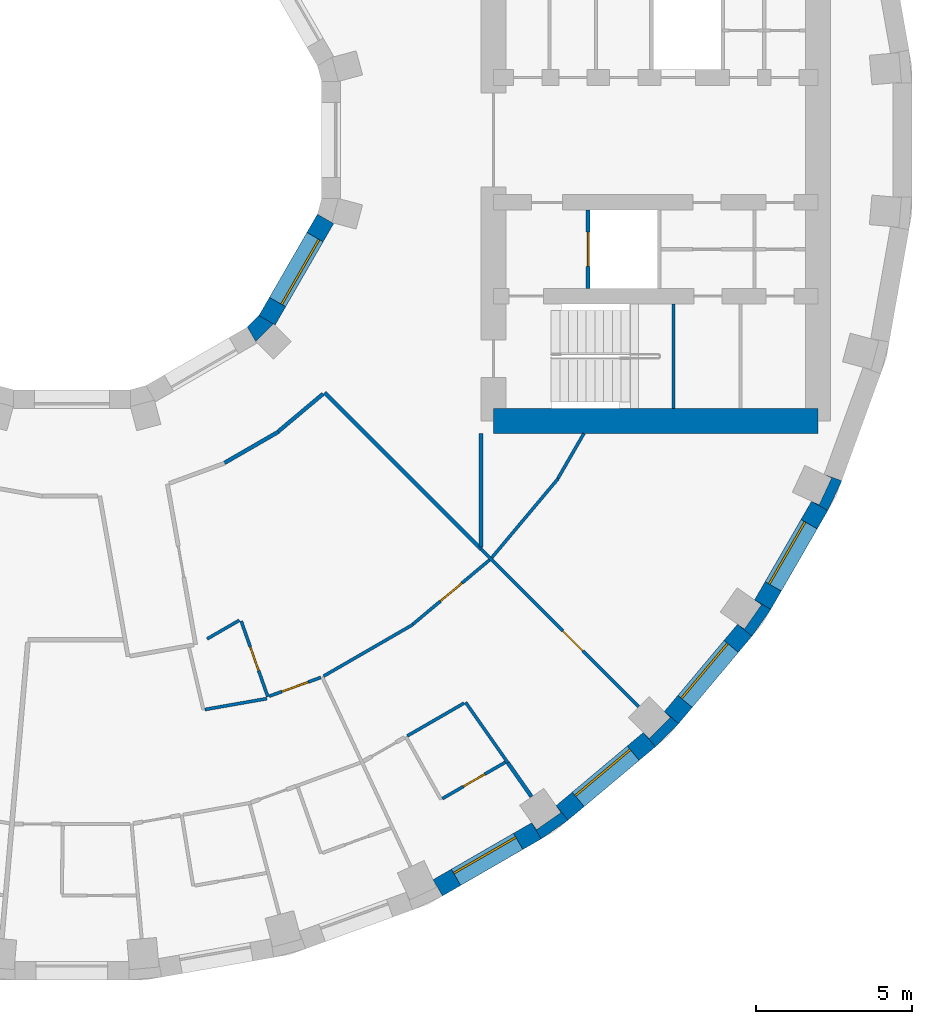
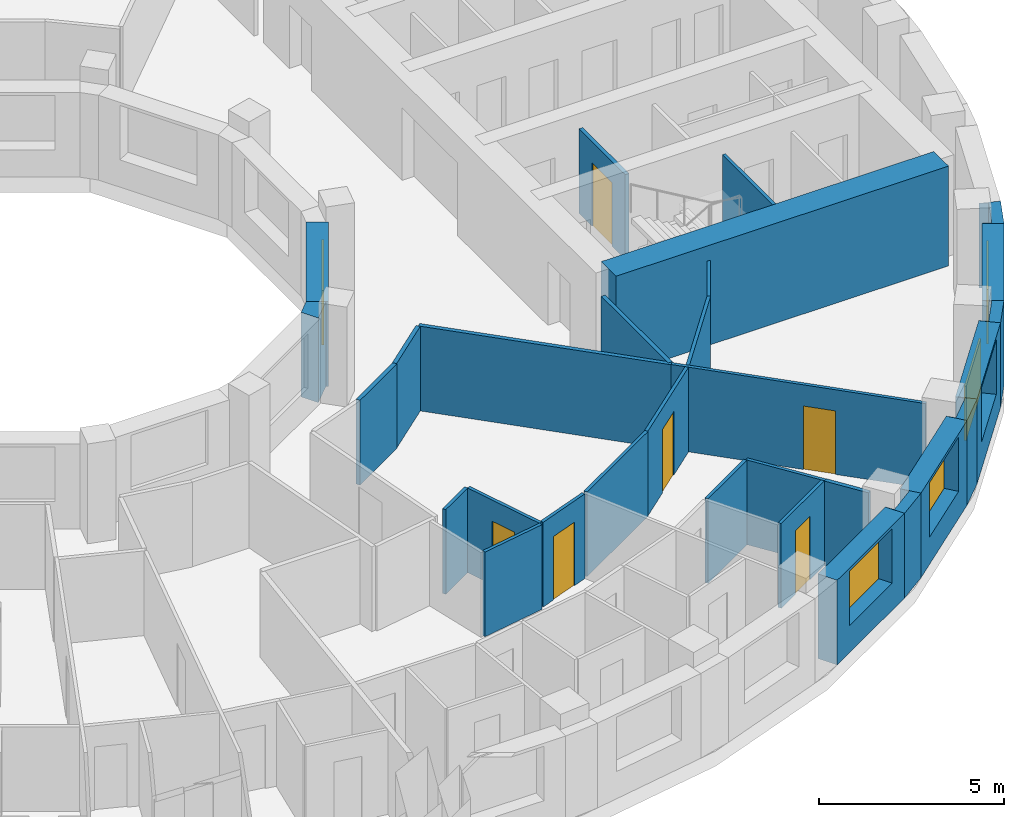
# One storey, part 8 of 15: 30 walls, 6 doors, 5 windows, 11 openings.
"""IFC4 building model written with IfcOpenShell, lengths in metres."""

from ifc_helpers import new_model, si_unit, direction, frame, frame_2d, origin, place, context, subcontext, project, spatial, polyline, rectangle, outline, extrude, material, layer, layer_set, type_object, element, fill, save


model = new_model("IFC4")

# Units and contexts
model_context = context("Model", 3, precision=1e-05, world=origin(), true_north=direction((0.0, 1.0)))
body_context = subcontext(model_context, "Body", "Model", "MODEL_VIEW")
ifc_project = project(units=[si_unit("LENGTHUNIT", "METRE"), si_unit("AREAUNIT", "SQUARE_METRE"), si_unit("VOLUMEUNIT", "CUBIC_METRE"), si_unit("PLANEANGLEUNIT", "RADIAN"), si_unit("MASSUNIT", "GRAM", prefix="KILO")], contexts=[model_context])

# Site, building, storey
site_placement = place(None, origin())
site = spatial("IfcSite", under=ifc_project, at=site_placement, CompositionType="ELEMENT")
building_placement = place(site_placement, origin())
building = spatial("IfcBuilding", under=site, at=building_placement, Name="Saqina Gate Tower", CompositionType="ELEMENT")
storey_placement = place(building_placement, frame((0.0, 0.0, 108.39990234375)))
storey = spatial("IfcBuildingStorey", under=building, at=storey_placement, Name="L30", CompositionType="ELEMENT", Elevation=108.39990234375)

# Walls
ifc_material_1 = material(Name="Brick masonry (buff)", Category="masonry")
wall_type_1 = type_object("IfcWallType", Name="BRICK PIER COPING BUFF", PredefinedType="SOLIDWALL", material=ifc_material_1)
wall_1_placement = place(storey_placement, origin())
element("IfcWall", 1, at=wall_1_placement, inside=storey, type_object=wall_type_1, Name="Pier cap L30 column 31", PredefinedType="SOLIDWALL", context=body_context, shape_type="SweptSolid", body=[
    extrude(outline(polyline([(15.89208984375, -21.77685546875), (15.50634765625, -21.317138671875), (15.66064453125, -21.53759765625), (14.88232421875, -22.08251953125), (14.728271484375, -21.862060546875), (15.0283203125, -22.3818359375), (15.89208984375, -21.77685546875)])), origin(), (0.0, 0.0, 1.0), 2.800048828125),
])
wall_2_placement = place(storey_placement, origin())
element("IfcWall", 2, at=wall_2_placement, inside=storey, type_object=wall_type_1, Name="Pier cap L30 column 32", PredefinedType="SOLIDWALL", context=body_context, shape_type="SweptSolid", body=[
    extrude(outline(polyline([(18.686279296875, -19.43212890625), (19.43212890625, -18.686279296875), (18.972412109375, -18.30078125), (19.16259765625, -18.49072265625), (18.49072265625, -19.16259765625), (18.30078125, -18.972412109375), (18.686279296875, -19.43212890625)])), origin(), (0.0, 0.0, 1.0), 2.800048828125),
])
wall_3_placement = place(storey_placement, origin())
element("IfcWall", 3, at=wall_3_placement, inside=storey, type_object=wall_type_1, Name="Pier cap L30 column 33", PredefinedType="SOLIDWALL", context=body_context, shape_type="SweptSolid", body=[
    extrude(outline(polyline([(22.3818359375, -15.0283203125), (21.862060546875, -14.728271484375), (22.08251953125, -14.88232421875), (21.53759765625, -15.66064453125), (21.317138671875, -15.50634765625), (21.77685546875, -15.89208984375), (22.3818359375, -15.0283203125)])), origin(), (0.0, 0.0, 1.0), 2.800048828125),
])
wall_4_placement = place(storey_placement, origin())
element("IfcWall", 4, at=wall_4_placement, inside=storey, type_object=wall_type_1, Name="Pier cap L30 column 34", PredefinedType="SOLIDWALL", context=body_context, shape_type="SweptSolid", body=[
    extrude(outline(polyline([(24.6513671875, -10.913330078125), (24.08740234375, -10.7080078125), (24.331298828125, -10.82177734375), (23.9296875, -11.6826171875), (23.68603515625, -11.569091796875), (24.205810546875, -11.869140625), (24.6513671875, -10.913330078125)])), origin(), (0.0, 0.0, 1.0), 2.800048828125),
])

# Wall, opening, window
ifc_material_2 = material(Name="Brick masonry (buff)", Category="masonry")
ifc_layer_1 = layer(ifc_material_2, 0.60009765625)
ifc_layer_set_1 = layer_set([ifc_layer_1], Name="FW-BRICK-BUFF")
wall_type_2 = type_object("IfcWallType", Name="FW-BRICK-BUFF", PredefinedType="SOLIDWALL", material=ifc_layer_set_1)
wall_5_placement = place(storey_placement, frame((11.718994140625, -23.94580078125, 0.0), z_axis=(0.0, 0.0, 1.0), x_axis=(0.866051847062, 0.499954196102, 0.0)))
wall_5 = element("IfcWall", 5, at=wall_5_placement, inside=storey, type_object=wall_type_2, Name="Facade wall L30 facet 30", PredefinedType="SOLIDWALL", context=body_context, shape_type="SweptSolid", body=[
    extrude(rectangle(XDim=3.647705078125, YDim=0.60009765625, at=frame_2d((1.82373046875, 0.0))), origin(), (0.0, 0.0, 1.0), 2.800048828125),
])
opening_1_placement = place(wall_5_placement, frame((0.673828125, 0.0, 0.89990234375)))
opening_1 = element("IfcOpeningElement", 6, at=opening_1_placement, cuts=wall_5, Name="Opening G08-W19", PredefinedType="OPENING", context=body_context, shape_type="SweptSolid", body=[
    extrude(rectangle(XDim=2.300048828125, YDim=1.800048828125, at=frame_2d((1.14990234375, 0.89990234375))), frame((0.0, 0.31201171875, 0.0), z_axis=(0.0, -1.0, 0.0), x_axis=(1.0, 0.0, 0.0)), (0.0, 0.0, 1.0), 0.6240234375),
])
ifc_material_3 = material(Name="Aluminium glazing", Category="aluminium")
window_type_1 = type_object("IfcWindowType", Name="WN-B", PartitioningType="SINGLE_PANEL", PredefinedType="WINDOW", material=ifc_material_3)
window_1_placement = place(opening_1_placement, origin())
window_1 = element("IfcWindow", 7, at=window_1_placement, inside=storey, type_object=window_type_1, Name="Window L30 facet 30", OverallHeight=1.800048828125, OverallWidth=2.300048828125, PartitioningType="SINGLE_PANEL", PredefinedType="WINDOW", context=body_context, shape_type="SweptSolid", body=[
    extrude(rectangle(XDim=2.300048828125, YDim=1.800048828125, at=frame_2d((1.14990234375, 0.89990234375))), frame((0.0, 0.179931640625, 0.0), z_axis=(0.0, -1.0, 0.0), x_axis=(1.0, 0.0, 0.0)), (0.0, 0.0, 1.0), 0.06005859375),
])
fill(opening_1, window_1)

wall_6_placement = place(storey_placement, frame((15.69921875, -21.547119140625, 0.0), z_axis=(0.0, 0.0, 1.0), x_axis=(0.766055462616, 0.642774476932, 0.0)))
wall_6 = element("IfcWall", 8, at=wall_6_placement, inside=storey, type_object=wall_type_2, Name="Facade wall L30 facet 31", PredefinedType="SOLIDWALL", context=body_context, shape_type="SweptSolid", body=[
    extrude(rectangle(XDim=3.647705078125, YDim=0.60009765625, at=frame_2d((1.82373046875, 0.0))), origin(), (0.0, 0.0, 1.0), 2.800048828125),
])
opening_2_placement = place(wall_6_placement, frame((0.673828125, 0.0, 0.89990234375)))
opening_2 = element("IfcOpeningElement", 9, at=opening_2_placement, cuts=wall_6, Name="Opening G08-W20", PredefinedType="OPENING", context=body_context, shape_type="SweptSolid", body=[
    extrude(rectangle(XDim=2.300048828125, YDim=1.800048828125, at=frame_2d((1.14990234375, 0.89990234375))), frame((0.0, 0.31201171875, 0.0), z_axis=(0.0, -1.0, 0.0), x_axis=(1.0, 0.0, 0.0)), (0.0, 0.0, 1.0), 0.6240234375),
])
window_2_placement = place(opening_2_placement, origin())
window_2 = element("IfcWindow", 10, at=window_2_placement, inside=storey, type_object=window_type_1, Name="Window L30 facet 31", OverallHeight=1.800048828125, OverallWidth=2.300048828125, PartitioningType="SINGLE_PANEL", PredefinedType="WINDOW", context=body_context, shape_type="SweptSolid", body=[
    extrude(rectangle(XDim=2.300048828125, YDim=1.800048828125, at=frame_2d((1.14990234375, 0.89990234375))), frame((0.0, 0.179931640625, 0.0), z_axis=(0.0, -1.0, 0.0), x_axis=(1.0, 0.0, 0.0)), (0.0, 0.0, 1.0), 0.06005859375),
])
fill(opening_2, window_2)

wall_7_placement = place(storey_placement, frame((19.202392578125, -18.49365234375, 0.0), z_axis=(0.0, 0.0, 1.0), x_axis=(0.642774476932, 0.766055462616, 0.0)))
wall_7 = element("IfcWall", 11, at=wall_7_placement, inside=storey, type_object=wall_type_2, Name="Facade wall L30 facet 32", PredefinedType="SOLIDWALL", context=body_context, shape_type="SweptSolid", body=[
    extrude(rectangle(XDim=3.647705078125, YDim=0.60009765625, at=frame_2d((1.82373046875, 0.0))), origin(), (0.0, 0.0, 1.0), 2.800048828125),
])
opening_3_placement = place(wall_7_placement, frame((0.673828125, 0.0, 0.89990234375)))
opening_3 = element("IfcOpeningElement", 12, at=opening_3_placement, cuts=wall_7, Name="Opening G08-W21", PredefinedType="OPENING", context=body_context, shape_type="SweptSolid", body=[
    extrude(rectangle(XDim=2.300048828125, YDim=1.800048828125, at=frame_2d((1.14990234375, 0.89990234375))), frame((0.0, 0.31201171875, 0.0), z_axis=(0.0, -1.0, 0.0), x_axis=(1.0, 0.0, 0.0)), (0.0, 0.0, 1.0), 0.6240234375),
])
window_3_placement = place(opening_3_placement, origin())
window_3 = element("IfcWindow", 13, at=window_3_placement, inside=storey, type_object=window_type_1, Name="Window L30 facet 32", OverallHeight=1.800048828125, OverallWidth=2.300048828125, PartitioningType="SINGLE_PANEL", PredefinedType="WINDOW", context=body_context, shape_type="SweptSolid", body=[
    extrude(rectangle(XDim=2.300048828125, YDim=1.800048828125, at=frame_2d((1.14990234375, 0.89990234375))), frame((0.0, 0.179931640625, 0.0), z_axis=(0.0, -1.0, 0.0), x_axis=(1.0, 0.0, 0.0)), (0.0, 0.0, 1.0), 0.06005859375),
])
fill(opening_3, window_3)

wall_8_placement = place(storey_placement, frame((22.1220703125, -14.878173828125, 0.0), z_axis=(0.0, 0.0, 1.0), x_axis=(0.499954196102, 0.866051847062, 0.0)))
wall_8 = element("IfcWall", 14, at=wall_8_placement, inside=storey, type_object=wall_type_2, Name="Facade wall L30 facet 33", PredefinedType="SOLIDWALL", context=body_context, shape_type="SweptSolid", body=[
    extrude(rectangle(XDim=3.647705078125, YDim=0.60009765625, at=frame_2d((1.82373046875, 0.0))), origin(), (0.0, 0.0, 1.0), 2.800048828125),
])
opening_4_placement = place(wall_8_placement, frame((0.673828125, 0.0, 0.89990234375)))
opening_4 = element("IfcOpeningElement", 15, at=opening_4_placement, cuts=wall_8, Name="Opening G08-W22", PredefinedType="OPENING", context=body_context, shape_type="SweptSolid", body=[
    extrude(rectangle(XDim=2.300048828125, YDim=1.800048828125, at=frame_2d((1.14990234375, 0.89990234375))), frame((0.0, 0.31201171875, 0.0), z_axis=(0.0, -1.0, 0.0), x_axis=(1.0, 0.0, 0.0)), (0.0, 0.0, 1.0), 0.6240234375),
])
window_4_placement = place(opening_4_placement, origin())
window_4 = element("IfcWindow", 16, at=window_4_placement, inside=storey, type_object=window_type_1, Name="Window L30 facet 33", OverallHeight=1.800048828125, OverallWidth=2.300048828125, PartitioningType="SINGLE_PANEL", PredefinedType="WINDOW", context=body_context, shape_type="SweptSolid", body=[
    extrude(rectangle(XDim=2.300048828125, YDim=1.800048828125, at=frame_2d((1.14990234375, 0.89990234375))), frame((0.0, 0.179931640625, 0.0), z_axis=(0.0, -1.0, 0.0), x_axis=(1.0, 0.0, 0.0)), (0.0, 0.0, 1.0), 0.06005859375),
])
fill(opening_4, window_4)

ifc_material_4 = material(Name="Glazed ceramic tile", Category="ceramic")
ifc_layer_2 = layer(ifc_material_4, 0.60009765625)
ifc_layer_set_2 = layer_set([ifc_layer_2], Name="IW-TILE")
wall_type_3 = type_object("IfcWallType", Name="IW-TILE", PredefinedType="SOLIDWALL", material=ifc_layer_set_2)
wall_9_placement = place(storey_placement, frame((6.251220703125, -5.772705078125, 0.0), z_axis=(0.0, 0.0, 1.0), x_axis=(0.499964958637, 0.86604563398, 0.0)))
wall_9 = element("IfcWall", 17, at=wall_9_placement, inside=storey, type_object=wall_type_3, Name="Well wall L30 facet 11", PredefinedType="SOLIDWALL", context=body_context, shape_type="SweptSolid", body=[
    extrude(rectangle(XDim=3.747314453125, YDim=0.60009765625, at=frame_2d((1.87353515625, 0.0))), origin(), (0.0, 0.0, 1.0), 2.800048828125),
])
opening_5_placement = place(wall_9_placement, frame((0.673583984375, 0.0, 0.89990234375)))
opening_5 = element("IfcOpeningElement", 18, at=opening_5_placement, cuts=wall_9, Name="Opening G08-W33", PredefinedType="OPENING", context=body_context, shape_type="SweptSolid", body=[
    extrude(rectangle(XDim=2.39990234375, YDim=1.800048828125, at=frame_2d((1.199951171875, 0.89990234375))), frame((0.0, 0.31201171875, 0.0), z_axis=(0.0, -1.0, 0.0), x_axis=(1.0, 0.0, 0.0)), (0.0, 0.0, 1.0), 0.6240234375),
])
ifc_material_5 = material(Name="Aluminium glazing", Category="aluminium")
window_type_2 = type_object("IfcWindowType", Name="WN-W", PartitioningType="SINGLE_PANEL", PredefinedType="WINDOW", material=ifc_material_5)
window_5_placement = place(opening_5_placement, origin())
window_5 = element("IfcWindow", 19, at=window_5_placement, inside=storey, type_object=window_type_2, Name="Well window L30 facet 11", OverallHeight=1.800048828125, OverallWidth=2.39990234375, PartitioningType="SINGLE_PANEL", PredefinedType="WINDOW", context=body_context, shape_type="SweptSolid", body=[
    extrude(rectangle(XDim=2.39990234375, YDim=1.800048828125, at=frame_2d((1.199951171875, 0.89990234375))), frame((0.0, -0.119873046875, 0.0), z_axis=(0.0, -1.0, 0.0), x_axis=(1.0, 0.0, 0.0)), (0.0, 0.0, 1.0), 0.06005859375),
])
fill(opening_5, window_5)

# Wall, opening, door
ifc_material_6 = material(Name="Gypsum board on steel studs, 100 mm", Category="steel")
ifc_layer_3 = layer(ifc_material_6, 0.10009765625)
ifc_layer_set_3 = layer_set([ifc_layer_3], Name="PARTITION 100")
wall_type_4 = type_object("IfcWallType", Name="PARTITION 100", PredefinedType="PARTITIONING", material=ifc_layer_set_3)
wall_10_placement = place(storey_placement, frame((5.424072265625, -15.4052734375, 0.0), z_axis=(0.0, 0.0, 1.0), x_axis=(0.332059637914, -0.943258393479, 0.0)))
wall_10 = element("IfcWall", 20, at=wall_10_placement, inside=storey, type_object=wall_type_4, Name="PARTITION PW3-10", PredefinedType="PARTITIONING", context=body_context, shape_type="SweptSolid", body=[
    extrude(rectangle(XDim=2.569580078125, YDim=0.10009765625, at=frame_2d((1.28466796875, 0.0))), origin(), (0.0, 0.0, 1.0), 2.800048828125),
])
opening_6_placement = place(wall_10_placement, frame((0.884521484375, 0.0, 0.0)))
opening_6 = element("IfcOpeningElement", 21, at=opening_6_placement, cuts=wall_10, Name="Opening G08-D43", PredefinedType="OPENING", context=body_context, shape_type="SweptSolid", body=[
    extrude(rectangle(XDim=0.800048828125, YDim=2.10009765625, at=frame_2d((0.39990234375, 1.050048828125))), frame((0.0, 0.06201171875, 0.0), z_axis=(0.0, -1.0, 0.0), x_axis=(1.0, 0.0, 0.0)), (0.0, 0.0, 1.0), 0.1240234375),
])
ifc_material_7 = material(Name="Timber door leaf, 800 mm", Category="wood")
door_type_1 = type_object("IfcDoorType", Name="DOOR 800 TIMBER", OperationType="SINGLE_SWING_LEFT", PredefinedType="DOOR", material=ifc_material_7)
door_1_placement = place(opening_6_placement, origin())
door_1 = element("IfcDoor", 22, at=door_1_placement, inside=storey, type_object=door_type_1, Name="DOOR G08-D43", OperationType="SINGLE_SWING_LEFT", OverallHeight=2.10009765625, OverallWidth=0.800048828125, PredefinedType="DOOR", context=body_context, shape_type="SweptSolid", body=[
    extrude(rectangle(XDim=0.800048828125, YDim=2.10009765625, at=frame_2d((0.39990234375, 1.050048828125))), frame((0.0, 0.02490234375, 0.0), z_axis=(0.0, -1.0, 0.0), x_axis=(1.0, 0.0, 0.0)), (0.0, 0.0, 1.0), 0.050048828125),
])
fill(opening_6, door_1)

# Wall
wall_11_placement = place(storey_placement, frame((12.60791015625, -18.006103515625, 0.0), z_axis=(0.0, 0.0, 1.0), x_axis=(0.573573515593, -0.819154089418, 0.0)))
element("IfcWall", 23, at=wall_11_placement, inside=storey, type_object=wall_type_4, Name="PARTITION PW3-17", PredefinedType="PARTITIONING", context=body_context, shape_type="SweptSolid", body=[
    extrude(rectangle(XDim=2.358154296875, YDim=0.10009765625, at=frame_2d((1.17919921875, 0.0))), origin(), (0.0, 0.0, 1.0), 2.800048828125),
])

# Wall, opening, door
wall_12_placement = place(storey_placement, frame((13.099853515625, -13.10009765625, 0.0), z_axis=(0.0, 0.0, 1.0), x_axis=(0.707192272448, -0.707021279588, 0.0)))
wall_12 = element("IfcWall", 24, at=wall_12_placement, inside=storey, type_object=wall_type_4, Name="PARTITION PW3-21", PredefinedType="PARTITIONING", context=body_context, shape_type="SweptSolid", body=[
    extrude(rectangle(XDim=7.138916015625, YDim=0.10009765625, at=frame_2d((3.5693359375, 0.0))), origin(), (0.0, 0.0, 1.0), 2.800048828125),
])
opening_7_placement = place(wall_12_placement, frame((3.709716796875, 0.0, 0.0)))
opening_7 = element("IfcOpeningElement", 25, at=opening_7_placement, cuts=wall_12, Name="Opening G08-D49", PredefinedType="OPENING", context=body_context, shape_type="SweptSolid", body=[
    extrude(rectangle(XDim=0.89990234375, YDim=2.10009765625, at=frame_2d((0.449951171875, 1.050048828125))), frame((0.0, 0.06201171875, 0.0), z_axis=(0.0, -1.0, 0.0), x_axis=(1.0, 0.0, 0.0)), (0.0, 0.0, 1.0), 0.1240234375),
])
ifc_material_8 = material(Name="Timber door leaf, 900 mm", Category="wood")
door_type_2 = type_object("IfcDoorType", Name="DOOR 900 TIMBER", OperationType="SINGLE_SWING_LEFT", PredefinedType="DOOR", material=ifc_material_8)
door_2_placement = place(opening_7_placement, origin())
door_2 = element("IfcDoor", 26, at=door_2_placement, inside=storey, type_object=door_type_2, Name="DOOR G08-D49", OperationType="SINGLE_SWING_RIGHT", OverallHeight=2.10009765625, OverallWidth=0.89990234375, PredefinedType="DOOR", context=body_context, shape_type="SweptSolid", body=[
    extrude(rectangle(XDim=0.89990234375, YDim=2.10009765625, at=frame_2d((0.449951171875, 1.050048828125))), frame((0.0, 0.02490234375, 0.0), z_axis=(0.0, -1.0, 0.0), x_axis=(1.0, 0.0, 0.0)), (0.0, 0.0, 1.0), 0.050048828125),
])
fill(opening_7, door_2)

# Wall
wall_13_placement = place(storey_placement, frame((4.26318359375, -18.237060546875, 0.0), z_axis=(0.0, 0.0, 1.0), x_axis=(0.984827477251, 0.173536278777, 0.0)))
element("IfcWall", 27, at=wall_13_placement, inside=storey, type_object=wall_type_4, Name="PARTITION PW3-49", PredefinedType="PARTITIONING", context=body_context, shape_type="SweptSolid", body=[
    extrude(rectangle(XDim=2.01318359375, YDim=0.10009765625, at=frame_2d((1.006591796875, 0.0))), origin(), (0.0, 0.0, 1.0), 2.800048828125),
])

# Wall, opening, door
wall_14_placement = place(storey_placement, frame((6.323974609375, -17.809814453125, 0.0), z_axis=(0.0, 0.0, 1.0), x_axis=(0.939842226204, 0.341608825771, 0.0)))
wall_14 = element("IfcWall", 28, at=wall_14_placement, inside=storey, type_object=wall_type_4, Name="PARTITION PW3-56", PredefinedType="PARTITIONING", context=body_context, shape_type="SweptSolid", body=[
    extrude(rectangle(XDim=1.75244140625, YDim=0.10009765625, at=frame_2d((0.876220703125, 0.0))), origin(), (0.0, 0.0, 1.0), 2.800048828125),
])
opening_8_placement = place(wall_14_placement, frame((0.42626953125, 0.0, 0.0)))
opening_8 = element("IfcOpeningElement", 29, at=opening_8_placement, cuts=wall_14, Name="Opening G08-D45", PredefinedType="OPENING", context=body_context, shape_type="SweptSolid", body=[
    extrude(rectangle(XDim=0.89990234375, YDim=2.10009765625, at=frame_2d((0.449951171875, 1.050048828125))), frame((0.0, 0.06201171875, 0.0), z_axis=(0.0, -1.0, 0.0), x_axis=(1.0, 0.0, 0.0)), (0.0, 0.0, 1.0), 0.1240234375),
])
door_3_placement = place(opening_8_placement, origin())
door_3 = element("IfcDoor", 30, at=door_3_placement, inside=storey, type_object=door_type_2, Name="DOOR G08-D45", OperationType="SINGLE_SWING_LEFT", OverallHeight=2.10009765625, OverallWidth=0.89990234375, PredefinedType="DOOR", context=body_context, shape_type="SweptSolid", body=[
    extrude(rectangle(XDim=0.89990234375, YDim=2.10009765625, at=frame_2d((0.449951171875, 1.050048828125))), frame((0.0, 0.02490234375, 0.0), z_axis=(0.0, -1.0, 0.0), x_axis=(1.0, 0.0, 0.0)), (0.0, 0.0, 1.0), 0.050048828125),
])
fill(opening_8, door_3)

wall_15_placement = place(storey_placement, frame((11.865234375, -21.090087890625, 0.0), z_axis=(0.0, 0.0, 1.0), x_axis=(0.866046247233, 0.49996389635, 0.0)))
wall_15 = element("IfcWall", 31, at=wall_15_placement, inside=storey, type_object=wall_type_4, Name="PARTITION PW3-61", PredefinedType="PARTITIONING", context=body_context, shape_type="SweptSolid", body=[
    extrude(rectangle(XDim=2.334228515625, YDim=0.10009765625, at=frame_2d((1.1669921875, 0.0))), origin(), (0.0, 0.0, 1.0), 2.800048828125),
])
opening_9_placement = place(wall_15_placement, frame((0.768310546875, 0.0, 0.0)))
opening_9 = element("IfcOpeningElement", 32, at=opening_9_placement, cuts=wall_15, Name="Opening G08-D47", PredefinedType="OPENING", context=body_context, shape_type="SweptSolid", body=[
    extrude(rectangle(XDim=0.800048828125, YDim=2.10009765625, at=frame_2d((0.39990234375, 1.050048828125))), frame((0.0, 0.06201171875, 0.0), z_axis=(0.0, -1.0, 0.0), x_axis=(1.0, 0.0, 0.0)), (0.0, 0.0, 1.0), 0.1240234375),
])
door_4_placement = place(opening_9_placement, frame((0.800048828125, 0.0, 0.0), z_axis=(0.0, 0.0, 1.0), x_axis=(-1.0, 0.0, 0.0)))
door_4 = element("IfcDoor", 33, at=door_4_placement, inside=storey, type_object=door_type_1, Name="DOOR G08-D47", OperationType="SINGLE_SWING_LEFT", OverallHeight=2.10009765625, OverallWidth=0.800048828125, PredefinedType="DOOR", context=body_context, shape_type="SweptSolid", body=[
    extrude(rectangle(XDim=0.800048828125, YDim=2.10009765625, at=frame_2d((0.39990234375, 1.050048828125))), frame((0.0, 0.02490234375, 0.0), z_axis=(0.0, -1.0, 0.0), x_axis=(1.0, 0.0, 0.0)), (0.0, 0.0, 1.0), 0.050048828125),
])
fill(opening_9, door_4)

# Walls
wall_16_placement = place(storey_placement, frame((10.7412109375, -19.0830078125, 0.0), z_axis=(0.0, 0.0, 1.0), x_axis=(0.86618365172, 0.499725806311, 0.0)))
element("IfcWall", 34, at=wall_16_placement, inside=storey, type_object=wall_type_4, Name="PARTITION PW3-62", PredefinedType="PARTITIONING", context=body_context, shape_type="SweptSolid", body=[
    extrude(rectangle(XDim=2.101318359375, YDim=0.10009765625, at=frame_2d((1.05078125, 0.0))), origin(), (0.0, 0.0, 1.0), 2.800048828125),
])
wall_17_placement = place(storey_placement, frame((8.061279296875, -17.1689453125, 0.0), z_axis=(0.0, 0.0, 1.0), x_axis=(0.865907705821, 0.500203803465, 0.0)))
element("IfcWall", 35, at=wall_17_placement, inside=storey, type_object=wall_type_4, Name="PARTITION PW3-63", PredefinedType="PARTITIONING", context=body_context, shape_type="SweptSolid", body=[
    extrude(rectangle(XDim=3.30712890625, YDim=0.10009765625, at=frame_2d((1.653564453125, 0.0))), origin(), (0.0, 0.0, 1.0), 2.800048828125),
])
wall_18_placement = place(storey_placement, frame((4.331298828125, -15.976806640625, 0.0), z_axis=(0.0, 0.0, 1.0), x_axis=(0.86607987314, 0.499905644439, 0.0)))
element("IfcWall", 36, at=wall_18_placement, inside=storey, type_object=wall_type_4, Name="PARTITION PW3-64", PredefinedType="PARTITIONING", context=body_context, shape_type="SweptSolid", body=[
    extrude(rectangle(XDim=1.192138671875, YDim=0.10009765625, at=frame_2d((0.59619140625, 0.0))), origin(), (0.0, 0.0, 1.0), 2.800048828125),
])

# Wall, opening, door
wall_19_placement = place(storey_placement, frame((10.91943359375, -15.5078125, 0.0), z_axis=(0.0, 0.0, 1.0), x_axis=(0.766214515486, 0.642584870861, 0.0)))
wall_19 = element("IfcWall", 37, at=wall_19_placement, inside=storey, type_object=wall_type_4, Name="PARTITION PW3-69", PredefinedType="PARTITIONING", context=body_context, shape_type="SweptSolid", body=[
    extrude(rectangle(XDim=3.20703125, YDim=0.10009765625, at=frame_2d((1.603515625, 0.0))), origin(), (0.0, 0.0, 1.0), 2.800048828125),
])
opening_10_placement = place(wall_19_placement, frame((1.153564453125, 0.0, 0.0)))
opening_10 = element("IfcOpeningElement", 38, at=opening_10_placement, cuts=wall_19, Name="Opening G08-D48", PredefinedType="OPENING", context=body_context, shape_type="SweptSolid", body=[
    extrude(rectangle(XDim=0.89990234375, YDim=2.10009765625, at=frame_2d((0.449951171875, 1.050048828125))), frame((0.0, 0.06201171875, 0.0), z_axis=(0.0, -1.0, 0.0), x_axis=(1.0, 0.0, 0.0)), (0.0, 0.0, 1.0), 0.1240234375),
])
door_5_placement = place(opening_10_placement, origin())
door_5 = element("IfcDoor", 39, at=door_5_placement, inside=storey, type_object=door_type_2, Name="DOOR G08-D48", OperationType="SINGLE_SWING_LEFT", OverallHeight=2.10009765625, OverallWidth=0.89990234375, PredefinedType="DOOR", context=body_context, shape_type="SweptSolid", body=[
    extrude(rectangle(XDim=0.89990234375, YDim=2.10009765625, at=frame_2d((0.449951171875, 1.050048828125))), frame((0.0, 0.02490234375, 0.0), z_axis=(0.0, -1.0, 0.0), x_axis=(1.0, 0.0, 0.0)), (0.0, 0.0, 1.0), 0.050048828125),
])
fill(opening_10, door_5)

# Walls
wall_20_placement = place(storey_placement, frame((13.447021484375, -13.376708984375, 0.0), z_axis=(0.0, 0.0, 1.0), x_axis=(0.642547967595, 0.76624546285, 0.0)))
element("IfcWall", 40, at=wall_20_placement, inside=storey, type_object=wall_type_4, Name="PARTITION PW3-74", PredefinedType="PARTITIONING", context=body_context, shape_type="SweptSolid", body=[
    extrude(rectangle(XDim=3.307861328125, YDim=0.10009765625, at=frame_2d((1.65380859375, 0.0))), origin(), (0.0, 0.0, 1.0), 2.800048828125),
])
wall_21_placement = place(storey_placement, frame((15.56494140625, -10.837646484375, 0.0), z_axis=(0.0, 0.0, 1.0), x_axis=(0.500370548049, 0.865811362044, 0.0)))
element("IfcWall", 41, at=wall_21_placement, inside=storey, type_object=wall_type_4, Name="PARTITION PW3-82", PredefinedType="PARTITIONING", context=body_context, shape_type="SweptSolid", body=[
    extrude(rectangle(XDim=1.662841796875, YDim=0.10009765625, at=frame_2d((0.83154296875, 0.0))), origin(), (0.0, 0.0, 1.0), 2.800048828125),
])
ifc_material_9 = material(Name="Gypsum board on steel studs, 125 mm, fire rated", Category="steel")
ifc_layer_4 = layer(ifc_material_9, 0.125)
ifc_layer_set_4 = layer_set([ifc_layer_4], Name="PARTITION EI 30 125")
wall_type_5 = type_object("IfcWallType", Name="PARTITION EI 30 125", PredefinedType="PARTITIONING", material=ifc_layer_set_4)
wall_22_placement = place(storey_placement, frame((13.95849609375, -19.939208984375, 0.0), z_axis=(0.0, 0.0, 1.0), x_axis=(0.573511785482, -0.819197309513, 0.0)))
element("IfcWall", 42, at=wall_22_placement, inside=storey, type_object=wall_type_5, Name="PARTITION PW1-04", PredefinedType="PARTITIONING", context=body_context, shape_type="SweptSolid", body=[
    extrude(rectangle(XDim=1.32568359375, YDim=0.125, at=frame_2d((0.662841796875, 0.0))), origin(), (0.0, 0.0, 1.0), 2.800048828125),
])
wall_23_placement = place(storey_placement, frame((8.092041015625, -8.092041015625, 0.0), z_axis=(0.0, 0.0, 1.0), x_axis=(0.707106781187, -0.707106781187, 0.0)))
element("IfcWall", 43, at=wall_23_placement, inside=storey, type_object=wall_type_5, Name="PARTITION PW1-10", PredefinedType="PARTITIONING", context=body_context, shape_type="SweptSolid", body=[
    extrude(rectangle(XDim=7.08251953125, YDim=0.125, at=frame_2d((3.541259765625, 0.0))), origin(), (0.0, 0.0, 1.0), 2.800048828125),
])
wall_24_placement = place(storey_placement, frame((4.89013671875, -10.33984375, 0.0), z_axis=(0.0, 0.0, 1.0), x_axis=(0.866142818645, 0.499796576329, 0.0)))
element("IfcWall", 44, at=wall_24_placement, inside=storey, type_object=wall_type_5, Name="PARTITION PW1-39", PredefinedType="PARTITIONING", context=body_context, shape_type="SweptSolid", body=[
    extrude(rectangle(XDim=1.995849609375, YDim=0.125, at=frame_2d((0.998046875, 0.0))), origin(), (0.0, 0.0, 1.0), 2.800048828125),
])
wall_25_placement = place(storey_placement, frame((6.61181640625, -9.333740234375, 0.0), z_axis=(0.0, 0.0, 1.0), x_axis=(0.766118936526, 0.642698821453, 0.0)))
element("IfcWall", 45, at=wall_25_placement, inside=storey, type_object=wall_type_5, Name="PARTITION PW1-43", PredefinedType="PARTITIONING", context=body_context, shape_type="SweptSolid", body=[
    extrude(rectangle(XDim=1.869384765625, YDim=0.125, at=frame_2d((0.9345703125, 0.0))), origin(), (0.0, 0.0, 1.0), 2.800048828125),
])
wall_26_placement = place(storey_placement, frame((13.10009765625, -13.03759765625, 0.0), z_axis=(0.0, 0.0, 1.0), x_axis=(0.0, 1.0, 0.0)))
element("IfcWall", 46, at=wall_26_placement, inside=storey, type_object=wall_type_5, Name="PARTITION PW1-55", PredefinedType="PARTITIONING", context=body_context, shape_type="SweptSolid", body=[
    extrude(rectangle(XDim=3.6376953125, YDim=0.125, at=frame_2d((1.81884765625, 0.0))), origin(), (0.0, 0.0, 1.0), 2.800048828125),
])

# Wall, opening, door
ifc_material_10 = material(Name="Autoclaved aerated concrete block", Category="concrete")
ifc_layer_5 = layer(ifc_material_10, 0.1201171875)
ifc_layer_set_5 = layer_set([ifc_layer_5], Name="SHAFT PARTITION")
wall_type_6 = type_object("IfcWallType", Name="SHAFT PARTITION", PredefinedType="PARTITIONING", material=ifc_layer_set_5)
wall_27_placement = place(storey_placement, frame((16.530029296875, -4.75, 0.0), z_axis=(0.0, 0.0, 1.0), x_axis=(0.0, 1.0, 0.0)))
wall_27 = element("IfcWall", 47, at=wall_27_placement, inside=storey, type_object=wall_type_6, Name="L30-CP-E06", PredefinedType="PARTITIONING", context=body_context, shape_type="SweptSolid", body=[
    extrude(rectangle(XDim=2.5, YDim=0.1201171875, at=frame_2d((1.25, 0.0))), origin(), (0.0, 0.0, 1.0), 2.800048828125),
])
opening_11_placement = place(wall_27_placement, frame((0.699951171875, 0.0, 0.0)))
opening_11 = element("IfcOpeningElement", 48, at=opening_11_placement, cuts=wall_27, Name="Opening G08-LD2", PredefinedType="OPENING", context=body_context, shape_type="SweptSolid", body=[
    extrude(rectangle(XDim=1.10009765625, YDim=2.10009765625, at=frame_2d((0.550048828125, 1.050048828125))), frame((0.0, 0.072021484375, 0.0), z_axis=(0.0, -1.0, 0.0), x_axis=(1.0, 0.0, 0.0)), (0.0, 0.0, 1.0), 0.14404296875),
])
ifc_material_11 = material(Name="Stainless steel", Category="steel")
door_type_3 = type_object("IfcDoorType", Name="LANDING DOOR", OperationType="DOUBLE_DOOR_SLIDING", PredefinedType="DOOR", material=ifc_material_11)
door_6_placement = place(opening_11_placement, origin())
door_6 = element("IfcDoor", 49, at=door_6_placement, inside=storey, type_object=door_type_3, Name="LANDING DOOR FF1", OperationType="DOUBLE_DOOR_SLIDING", OverallHeight=2.10009765625, OverallWidth=1.10009765625, PredefinedType="DOOR", context=body_context, shape_type="SweptSolid", body=[
    extrude(rectangle(XDim=1.10009765625, YDim=2.10009765625, at=frame_2d((0.550048828125, 1.050048828125))), frame((0.0, 0.02490234375, 0.0), z_axis=(0.0, -1.0, 0.0), x_axis=(1.0, 0.0, 0.0)), (0.0, 0.0, 1.0), 0.050048828125),
])
fill(opening_11, door_6)

# Walls
ifc_material_12 = material(Name="Autoclaved aerated concrete block", Category="concrete")
ifc_layer_6 = layer(ifc_material_12, 0.10009765625)
ifc_layer_set_6 = layer_set([ifc_layer_6], Name="STAIR ENCLOSURE WALL")
wall_type_7 = type_object("IfcWallType", Name="STAIR ENCLOSURE WALL", PredefinedType="PARTITIONING", material=ifc_layer_set_6)
wall_28_placement = place(storey_placement, frame((19.27001953125, -8.60009765625, 0.0), z_axis=(0.0, 0.0, 1.0), x_axis=(0.0, 1.0, 0.0)))
element("IfcWall", 50, at=wall_28_placement, inside=storey, type_object=wall_type_7, Name="L30-CP-E15", PredefinedType="PARTITIONING", context=body_context, shape_type="SweptSolid", body=[
    extrude(rectangle(XDim=3.35009765625, YDim=0.10009765625, at=frame_2d((1.675048828125, 0.0))), origin(), (0.0, 0.0, 1.0), 2.800048828125),
])
ifc_material_13 = material(Name="Concrete C70/85", Category="concrete")
ifc_layer_7 = layer(ifc_material_13, 0.800048828125)
ifc_layer_set_7 = layer_set([ifc_layer_7], Name="Concrete C70/85")
wall_type_8 = type_object("IfcWallType", Name="STR-CORE WALL-B-O", PredefinedType="SHEAR", material=ifc_layer_set_7)
wall_29_placement = place(storey_placement, frame((13.5, -9.0, 0.0), z_axis=(0.0, 0.0, 1.0), x_axis=(1.0, 0.0, 0.0)))
element("IfcWall", 51, at=wall_29_placement, inside=storey, type_object=wall_type_8, Name="CORE WALL L30 E-SE", PredefinedType="SHEAR", context=body_context, shape_type="SweptSolid", body=[
    extrude(rectangle(XDim=10.39990234375, YDim=0.800048828125, at=frame_2d((5.199951171875, 0.0))), origin(), (0.0, 0.0, 1.0), 3.300048828125),
])
ifc_material_14 = material(Name="Glazed ceramic tile", Category="ceramic")
wall_type_9 = type_object("IfcWallType", Name="TILE PIER COPING", PredefinedType="SOLIDWALL", material=ifc_material_14)
wall_30_placement = place(storey_placement, origin())
element("IfcWall", 52, at=wall_30_placement, inside=storey, type_object=wall_type_9, Name="Well pier cap L30 column 11", PredefinedType="SOLIDWALL", context=body_context, shape_type="SweptSolid", body=[
    extrude(outline(polyline([(5.891845703125, -6.45751953125), (6.45751953125, -5.891845703125), (5.991455078125, -5.622802734375), (5.622802734375, -5.991455078125), (5.891845703125, -6.45751953125)])), origin(), (0.0, 0.0, 1.0), 2.800048828125),
])

save(model, "model.ifc")
